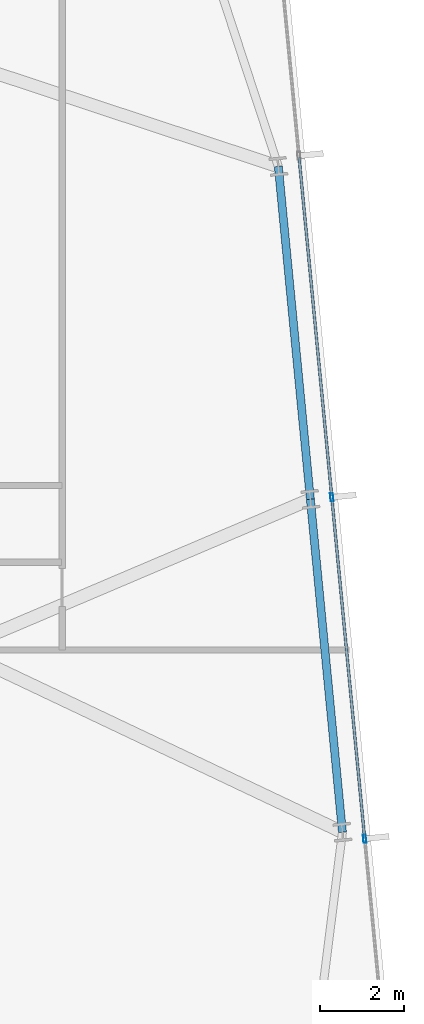
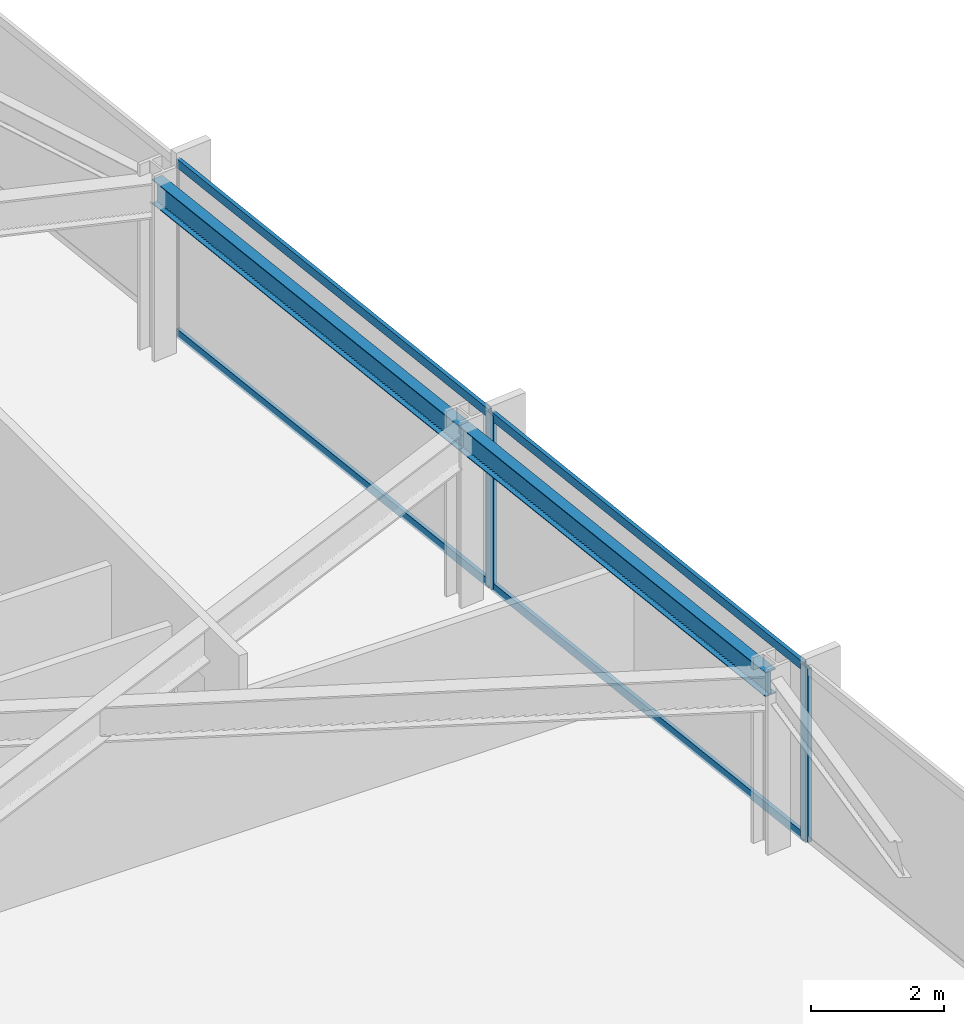
# One storey, part 16 of 32: 6 members, 2 beams, 1 element without a shape of its own.
"""IFC4 building model written with IfcOpenShell, lengths in metres."""

from ifc_helpers import new_model, si_unit, direction, frame, origin, origin_2d, place, context, subcontext, project, spatial, hollow_rectangle, i_section, extrude, material, material_profile, profile_set, type_object, element, aggregate, save


model = new_model("IFC4")

# Units and contexts
model_context = context("Model", 3, precision=1e-05, world=origin(), true_north=direction((0.0, 1.0)))
body_context = subcontext(model_context, "Body", "Model", "MODEL_VIEW")
ifc_project = project(units=[si_unit("LENGTHUNIT", "METRE"), si_unit("AREAUNIT", "SQUARE_METRE"), si_unit("VOLUMEUNIT", "CUBIC_METRE"), si_unit("PLANEANGLEUNIT", "RADIAN"), si_unit("MASSUNIT", "GRAM", prefix="KILO")], contexts=[model_context])

# Site, building, storey
site_placement = place(None, origin())
site = spatial("IfcSite", under=ifc_project, at=site_placement, CompositionType="ELEMENT")
building_placement = place(site_placement, origin())
building = spatial("IfcBuilding", under=site, at=building_placement, Name="Yelkora Congress Tower", CompositionType="ELEMENT")
storey_placement = place(building_placement, frame((0.0, 0.0, 120.300048828125)))
storey = spatial("IfcBuildingStorey", under=building, at=storey_placement, Name="L32", CompositionType="ELEMENT", Elevation=120.300048828125)

# Beams
ifc_material_1 = material(Name="Steel S355J2", Category="steel")
ifc_material_profile_1 = material_profile(ifc_material_1, i_section(OverallWidth=0.18994140625, OverallDepth=0.449951171875, WebThickness=0.009521484375, FlangeThickness=0.0146484375, FilletRadius=0.02099609375, at=origin_2d()), Name="IPE 450")
ifc_profile_set_1 = profile_set([ifc_material_profile_1], Name="Steel S355J2")
beam_type = type_object("IfcBeamType", Name="BM-SPAN-IPE450", PredefinedType="SPANDREL", material=ifc_profile_set_1)
beam_1_placement = place(storey_placement, frame((76.041259765625, 24.83349609375, 2.954833984375), z_axis=(-0.095839787071, 0.995396772757, 0.0), x_axis=(-0.995396772757, -0.095839787071, 0.0)))
element("IfcBeam", 1, at=beam_1_placement, inside=storey, type_object=beam_type, Name="L32 Perimeter Beam 11", PredefinedType="SPANDREL", context=body_context, shape_type="SweptSolid", body=[
    extrude(i_section(OverallWidth=0.18994140625, OverallDepth=0.449951171875, WebThickness=0.009521484375, FlangeThickness=0.0146484375, FilletRadius=0.02099609375, at=origin_2d()), origin(), (0.0, 0.0, 1.0), 7.9248046875),
])
beam_2_placement = place(storey_placement, frame((75.28173828125, 32.721923828125, 2.954833984375), z_axis=(-0.09583684824, 0.995397055712, 0.0), x_axis=(-0.995397055712, -0.09583684824, 0.0)))
element("IfcBeam", 2, at=beam_2_placement, inside=storey, type_object=beam_type, Name="L32 Perimeter Beam 12", PredefinedType="SPANDREL", context=body_context, shape_type="SweptSolid", body=[
    extrude(i_section(OverallWidth=0.18994140625, OverallDepth=0.449951171875, WebThickness=0.009521484375, FlangeThickness=0.0146484375, FilletRadius=0.02099609375, at=origin_2d()), origin(), (0.0, 0.0, 1.0), 7.925048828125),
])

# Curtain wall, members
ifc_material_2 = material(Name="Anodised aluminium and insulated glass", Category="aluminium")
curtain_wall_type = type_object("IfcCurtainWallType", Name="CW-SYS-B2", PredefinedType="NOTDEFINED", material=ifc_material_2)
curtain_wall_placement = place(storey_placement, origin())
curtain_wall = element("IfcCurtainWall", 3, at=curtain_wall_placement, inside=storey, type_object=curtain_wall_type, Name="L32 Unitised Curtain Wall 15", PredefinedType="NOTDEFINED")
ifc_material_3 = material(Name="Anodised aluminium 6063-T6", Category="aluminium")
ifc_material_profile_2 = material_profile(ifc_material_3, hollow_rectangle(XDim=0.070068359375, YDim=0.18994140625, WallThickness=0.00390625, at=origin_2d()), Name="ALU 70x190x4")
ifc_profile_set_2 = profile_set([ifc_material_profile_2], Name="Anodised aluminium 6063-T6")
member_type_1 = type_object("IfcMemberType", Name="MEM-ML-B2", PredefinedType="MULLION", material=ifc_profile_set_2)
member_1_placement = place(storey_placement, frame((75.789306640625, 32.770751953125, 0.0), z_axis=(0.0, 0.0, 1.0), x_axis=(0.995396507508, 0.095842541913, 0.0)))
member_1 = element("IfcMember", 4, at=member_1_placement, type_object=member_type_1, Name="CW-B2 mullion 3", PredefinedType="MULLION", context=body_context, shape_type="SweptSolid", body=[
    extrude(hollow_rectangle(XDim=0.070068359375, YDim=0.18994140625, WallThickness=0.00390625, at=origin_2d()), origin(), (0.0, 0.0, 1.0), 3.179931640625),
])
member_2_placement = place(storey_placement, frame((76.568603515625, 24.67822265625, 0.0), z_axis=(0.0, 0.0, 1.0), x_axis=(0.995396507508, 0.095842541913, 0.0)))
member_2 = element("IfcMember", 5, at=member_2_placement, type_object=member_type_1, Name="CW-B2 mullion 4", PredefinedType="MULLION", context=body_context, shape_type="SweptSolid", body=[
    extrude(hollow_rectangle(XDim=0.070068359375, YDim=0.18994140625, WallThickness=0.00390625, at=origin_2d()), origin(), (0.0, 0.0, 1.0), 3.179931640625),
])
ifc_material_profile_3 = material_profile(ifc_material_3, hollow_rectangle(XDim=0.06494140625, YDim=0.159912109375, WallThickness=0.00390625, at=origin_2d()), Name="ALU 65x160x4")
ifc_profile_set_3 = profile_set([ifc_material_profile_3], Name="Anodised aluminium 6063-T6")
member_type_2 = type_object("IfcMemberType", Name="MEM-TR-B2", PredefinedType="USERDEFINED", material=ifc_profile_set_3)
member_3_placement = place(storey_placement, frame((75.013427734375, 40.82861328125, 0.032470703125), z_axis=(0.095838228465, -0.995396922823, 0.0), x_axis=(0.995396922823, 0.095838228465, 0.0)))
member_3 = element("IfcMember", 6, at=member_3_placement, type_object=member_type_2, Name="CW-B2 transom 2.1", ObjectType="TRANSOM", PredefinedType="USERDEFINED", context=body_context, shape_type="SweptSolid", body=[
    extrude(hollow_rectangle(XDim=0.06494140625, YDim=0.159912109375, WallThickness=0.00390625, at=origin_2d()), origin(), (0.0, 0.0, 1.0), 8.06005859375),
])
member_4_placement = place(storey_placement, frame((75.013427734375, 40.82861328125, 3.1474609375), z_axis=(0.095838228465, -0.995396922823, 0.0), x_axis=(0.995396922823, 0.095838228465, 0.0)))
member_4 = element("IfcMember", 7, at=member_4_placement, type_object=member_type_2, Name="CW-B2 transom 2.2", ObjectType="TRANSOM", PredefinedType="USERDEFINED", context=body_context, shape_type="SweptSolid", body=[
    extrude(hollow_rectangle(XDim=0.06494140625, YDim=0.159912109375, WallThickness=0.00390625, at=origin_2d()), origin(), (0.0, 0.0, 1.0), 8.06005859375),
])
member_5_placement = place(storey_placement, frame((75.792724609375, 32.736083984375, 0.032470703125), z_axis=(0.095838228465, -0.995396922823, 0.0), x_axis=(0.995396922823, 0.095838228465, 0.0)))
member_5 = element("IfcMember", 8, at=member_5_placement, type_object=member_type_2, Name="CW-B2 transom 3.1", ObjectType="TRANSOM", PredefinedType="USERDEFINED", context=body_context, shape_type="SweptSolid", body=[
    extrude(hollow_rectangle(XDim=0.06494140625, YDim=0.159912109375, WallThickness=0.00390625, at=origin_2d()), origin(), (0.0, 0.0, 1.0), 8.06005859375),
])
member_6_placement = place(storey_placement, frame((75.792724609375, 32.736083984375, 3.1474609375), z_axis=(0.095838228465, -0.995396922823, 0.0), x_axis=(0.995396922823, 0.095838228465, 0.0)))
member_6 = element("IfcMember", 9, at=member_6_placement, type_object=member_type_2, Name="CW-B2 transom 3.2", ObjectType="TRANSOM", PredefinedType="USERDEFINED", context=body_context, shape_type="SweptSolid", body=[
    extrude(hollow_rectangle(XDim=0.06494140625, YDim=0.159912109375, WallThickness=0.00390625, at=origin_2d()), origin(), (0.0, 0.0, 1.0), 8.06005859375),
])
aggregate(curtain_wall, [member_1, member_2, member_3, member_4, member_5, member_6])

save(model, "model.ifc")
